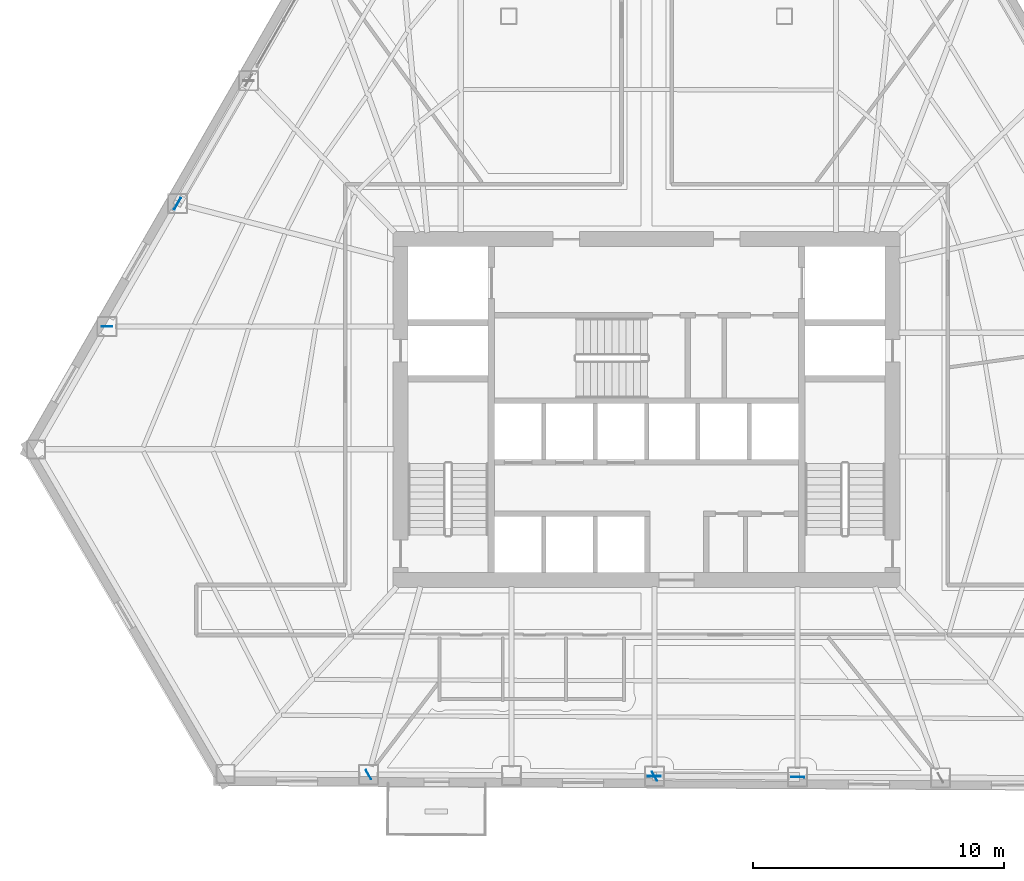
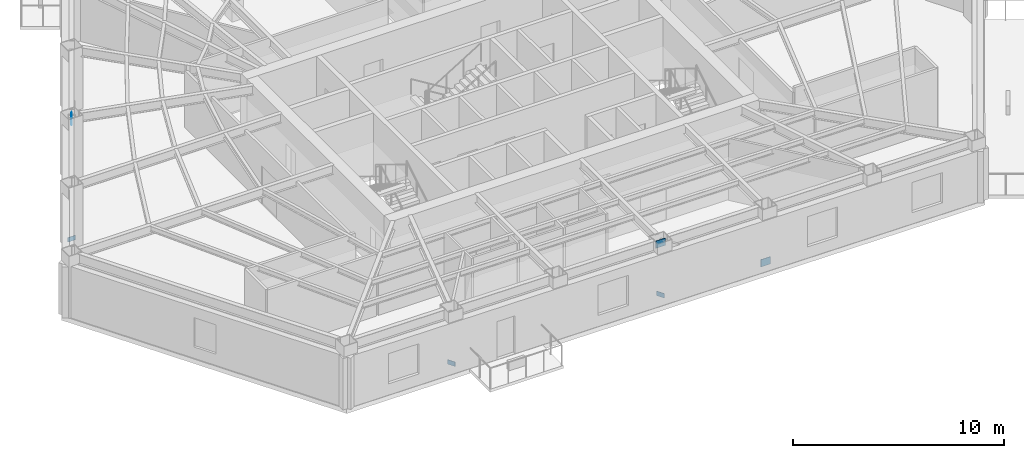
# One storey, part 6 of 16: 6 plates.
"""IFC4 building model written with IfcOpenShell, lengths in metres."""

from ifc_helpers import new_model, si_unit, direction, frame, origin, origin_2d, place, context, subcontext, project, spatial, rectangle, extrude, material, layer, layer_set, type_object, element, save


model = new_model("IFC4")

# Units and contexts
model_context = context("Model", 3, precision=1e-05, world=origin(), true_north=direction((0.0, 1.0)))
body_context = subcontext(model_context, "Body", "Model", "MODEL_VIEW")
ifc_project = project(units=[si_unit("LENGTHUNIT", "METRE"), si_unit("AREAUNIT", "SQUARE_METRE"), si_unit("VOLUMEUNIT", "CUBIC_METRE"), si_unit("PLANEANGLEUNIT", "RADIAN"), si_unit("MASSUNIT", "GRAM", prefix="KILO")], contexts=[model_context])

# Site, building, storey
site_placement = place(None, origin())
site = spatial("IfcSite", under=ifc_project, at=site_placement, CompositionType="ELEMENT")
building_placement = place(site_placement, origin())
building = spatial("IfcBuilding", under=site, at=building_placement, Name="Kavelnor Concourse Tower", CompositionType="ELEMENT")
storey_placement = place(building_placement, frame((0.0, 0.0, 48.35009765625)))
storey = spatial("IfcBuildingStorey", under=building, at=storey_placement, Name="L12", CompositionType="ELEMENT", Elevation=48.35009765625)

# Plates
ifc_material = material(Name="Steel Grade 350", Category="steel")
ifc_layer_1 = layer(ifc_material, 0.031982421875, Name="Steel Grade 350")
ifc_layer_set_1 = layer_set([ifc_layer_1], Name="Steel Grade 350")
plate_type_1 = type_object("IfcPlateType", Name="PL-GUSSET-TUBE-Z1", PredefinedType="USERDEFINED", material=ifc_layer_set_1)
for number, where, z_axis, x_axis, name in (
    (1, (19.2744140625, 24.313720703125, 3.073974609375), (0.0, 0.0, 1.0), (-0.499244059975, -0.866461406284, 0.0), "L12 Tube Brace Gusset GP3 F0-B3 End Gusset B"),
    (2, (44.039306640625, 1.431884765625, 0.010009765625), (0.0, 0.0, 1.0), (-0.999984403629, 0.005585024571, 0.0), "L12 Tube Brace Gusset GP3 F1-B3 End Gusset A"),
    (3, (38.306396484375, 1.464111328125, 3.073974609375), (0.0, 0.0, 1.0), (-0.999984403629, 0.005585024571, 0.0), "L12 Tube Brace Gusset GP3 F1-B3 End Gusset B"),
):
    element("IfcPlate", number, at=place(storey_placement, frame(where, z_axis=z_axis, x_axis=x_axis)), inside=storey, type_object=plate_type_1, Name=name, ObjectType="GUSSET_PLATE", PredefinedType="USERDEFINED", context=body_context, shape_type="SweptSolid", body=[
        extrude(rectangle(XDim=0.52001953125, YDim=0.031982421875, at=origin_2d()), origin(), (0.0, 0.0, 1.0), 0.419921875),
    ])
ifc_layer_2 = layer(ifc_material, 0.02490234375, Name="Steel Grade 350")
ifc_layer_set_2 = layer_set([ifc_layer_2], Name="Steel Grade 350")
plate_type_2 = type_object("IfcPlateType", Name="PL-SPLICE-FLANGE", PredefinedType="SHEET", material=ifc_layer_set_2)
for number, where, z_axis, x_axis, name in (
    (4, (16.45458984375, 19.420166015625, 0.169921875), (0.0, 0.0, 1.0), (1.0, 0.0, 0.0), "L12 Column Flange Splice Plate F0-B5"),
    (5, (26.900634765625, 1.527587890625, 0.169921875), (0.0, 0.0, 1.0), (-0.5, 0.866025403784, 0.0), "L12 Column Flange Splice Plate F1-B1"),
    (6, (38.318603515625, 1.464111328125, 0.169921875), (0.0, 0.0, 1.0), (-0.5, 0.866025403784, 0.0), "L12 Column Flange Splice Plate F1-B3"),
):
    element("IfcPlate", number, at=place(storey_placement, frame(where, z_axis=z_axis, x_axis=x_axis)), inside=storey, type_object=plate_type_2, Name=name, PredefinedType="SHEET", context=body_context, shape_type="SweptSolid", body=[
        extrude(rectangle(XDim=0.419921875, YDim=0.02490234375, at=origin_2d()), origin(), (0.0, 0.0, 1.0), 0.260009765625),
    ])

save(model, "model.ifc")
